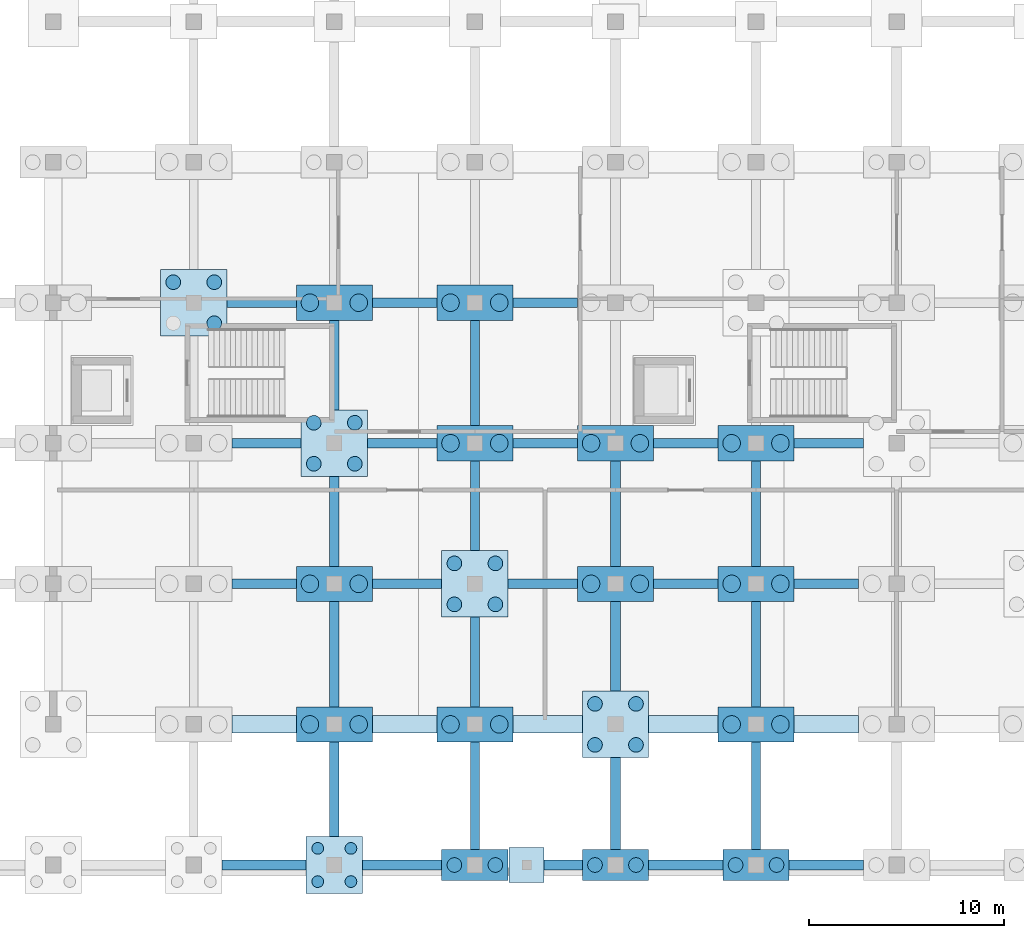
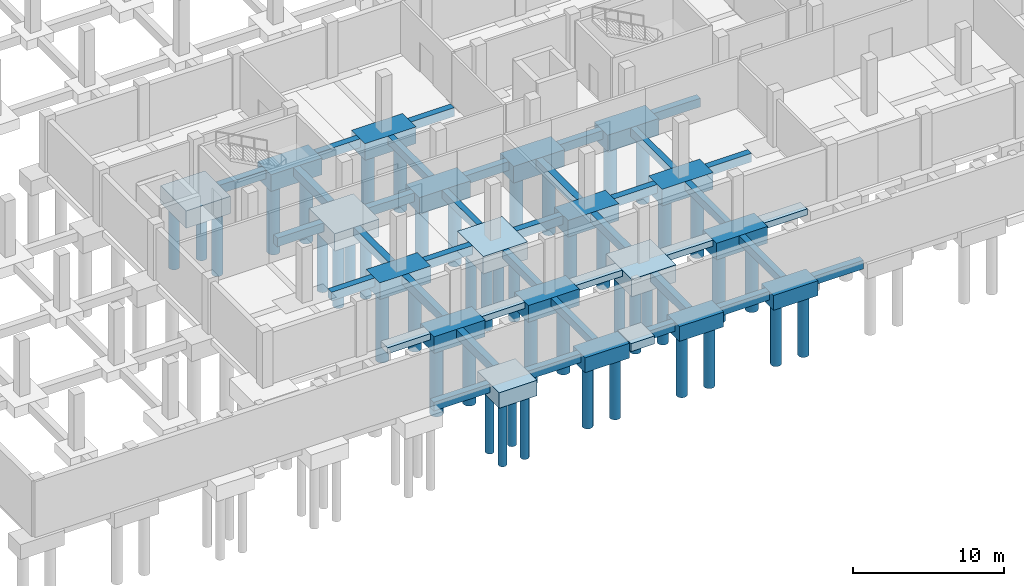
# One storey, part 2 of 22: 57 footings, 47 piles.
"""IFC4 building model written with IfcOpenShell, lengths in metres."""

import ifcopenshell
import ifcopenshell.guid

model = None  # the IFC model being written
_history = None  # IfcOwnerHistory: only IFC2X3 demands one
_inside = {}  # id of a spatial element -> (the spatial element, [elements in it])
_under = {}  # id of a project, library or spatial element -> (it, [spatial elements below it])
_declared = {}  # id of a project -> (the project, [libraries it declares])
_typed = {}  # id of a type object -> (the type object, [elements of that type])
_made_of = {}  # id of a material, layer set ... -> (it, [elements and type objects made of it])


def new_model(schema):
    """Start an empty IFC model of exactly this schema.

    Asked for "IFC4X3", IfcOpenShell would pick the latest addendum, in which some entities
    have other attributes; the version numbers below select the first issue.
    IFC2X3 requires an IfcOwnerHistory on every rooted entity: one is made here for all.
    """
    global model, _history
    if schema == "IFC4X3":
        model = ifcopenshell.file(schema_version=(4, 3, 0, 0))
    else:
        model = ifcopenshell.file(schema=schema)
    _inside.clear()
    _under.clear()
    _declared.clear()
    _typed.clear()
    _made_of.clear()
    _history = None
    if model.schema == "IFC2X3":
        org = make("IfcOrganization", Name="unknown")
        user = make(
            "IfcPersonAndOrganization",
            ThePerson=make("IfcPerson", FamilyName="unknown"),
            TheOrganization=org,
        )
        app = make(
            "IfcApplication",
            ApplicationDeveloper=org,
            Version="unknown",
            ApplicationFullName="unknown",
            ApplicationIdentifier="unknown",
        )
        _history = make(
            "IfcOwnerHistory",
            OwningUser=user,
            OwningApplication=app,
            ChangeAction="ADDED",
            CreationDate=0,
        )
    return model


def make(cls, **values):
    """One entity of the class cls with the attributes given. An attribute that is None is left unset."""
    return model.create_entity(
        cls, **{name: value for name, value in values.items() if value is not None}
    )


def rooted(cls, **values):
    """An entity with a GlobalId (a new one), such as an element, a storey or a relation."""
    return make(cls, GlobalId=ifcopenshell.guid.new(), OwnerHistory=_history, **values)


def si_unit(unit_type, name, prefix=None):
    """IfcSIUnit, for example si_unit("LENGTHUNIT", "METRE", prefix="MILLI")."""
    return make("IfcSIUnit", UnitType=unit_type, Prefix=prefix, Name=name)


def assignment(units):
    """IfcUnitAssignment: the units of a project."""
    return None if units is None else make("IfcUnitAssignment", Units=units)


def point(xyz):
    """IfcCartesianPoint."""
    return None if xyz is None else make("IfcCartesianPoint", Coordinates=xyz)


def direction(xyz):
    """IfcDirection."""
    return None if xyz is None else make("IfcDirection", DirectionRatios=xyz)


def frame(location, z_axis=None, x_axis=None):
    """IfcAxis2Placement3D, a coordinate frame: its origin and axes. An axis left out is left unset."""
    return make(
        "IfcAxis2Placement3D",
        Location=point(location),
        Axis=direction(z_axis),
        RefDirection=direction(x_axis),
    )


def frame_2d(location, x_axis=None):
    """IfcAxis2Placement2D, a coordinate frame in the plane: its origin and x axis."""
    return make(
        "IfcAxis2Placement2D", Location=point(location), RefDirection=direction(x_axis)
    )


def origin():
    """The frame at (0, 0, 0) with its axes left unset."""
    return frame((0.0, 0.0, 0.0))


def origin_2d():
    """The frame at (0, 0) in the plane with its x axis left unset."""
    return frame_2d((0.0, 0.0))


def place(relative_to, where):
    """IfcLocalPlacement: puts the frame where relative to a parent placement (None: the world)."""
    return make(
        "IfcLocalPlacement", PlacementRelTo=relative_to, RelativePlacement=where
    )


def context(
    kind, dimensions, precision=None, world=None, true_north=None, identifier=None
):
    """IfcGeometricRepresentationContext, for example the 3D "Model" context."""
    return make(
        "IfcGeometricRepresentationContext",
        ContextIdentifier=identifier,
        ContextType=kind,
        CoordinateSpaceDimension=dimensions,
        Precision=precision,
        WorldCoordinateSystem=world,
        TrueNorth=true_north,
    )


def subcontext(parent, identifier, kind, view, scale=None):
    """IfcGeometricRepresentationSubContext, for example "Body" below "Model"."""
    return make(
        "IfcGeometricRepresentationSubContext",
        ContextIdentifier=identifier,
        ContextType=kind,
        ParentContext=parent,
        TargetScale=scale,
        TargetView=view,
    )


def project(units=None, contexts=None):
    """IfcProject with its units and contexts."""
    return rooted(
        "IfcProject",
        Name="project",
        RepresentationContexts=contexts,
        UnitsInContext=assignment(units),
    )


def spatial(cls, under=None, at=None, **own):
    """A site, building, storey or space (cls), placed at a placement, below another one or the project."""
    s = rooted(cls, ObjectPlacement=at, **own)
    if under is not None:
        _under.setdefault(under.id(), (under, []))[1].append(s)
    return s


def polyline(points):
    """IfcPolyline through the points."""
    return make("IfcPolyline", Points=[point(p) for p in points])


def profile(cls, at=None, kind="AREA", **sizes):
    """A parametric profile (cls). Its sizes go by their IFC names, for example OverallWidth=200.0."""
    return make(cls, ProfileType=kind, Position=at, **sizes)


def rectangle(**sizes):
    """IfcRectangleProfileDef."""
    return profile("IfcRectangleProfileDef", **sizes)


def circle(**sizes):
    """IfcCircleProfileDef."""
    return profile("IfcCircleProfileDef", **sizes)


def outline(outer, holes=None, kind="AREA"):
    """IfcArbitraryClosedProfileDef: a profile drawn as a closed curve; with holes, ...WithVoids."""
    if holes is None:
        return make("IfcArbitraryClosedProfileDef", ProfileType=kind, OuterCurve=outer)
    return make(
        "IfcArbitraryProfileDefWithVoids",
        ProfileType=kind,
        OuterCurve=outer,
        InnerCurves=holes,
    )


def extrude(swept, where, along, depth):
    """IfcExtrudedAreaSolid: the profile swept, set in the frame where, extruded along a direction by depth."""
    return make(
        "IfcExtrudedAreaSolid",
        SweptArea=swept,
        Position=where,
        ExtrudedDirection=direction(along),
        Depth=depth,
    )


def shape(context_of_items, identifier, shape_type, items):
    """IfcShapeRepresentation: the items that make up one representation, for example the "Body"."""
    return make(
        "IfcShapeRepresentation",
        ContextOfItems=context_of_items,
        RepresentationIdentifier=identifier,
        RepresentationType=shape_type,
        Items=items,
    )


def material(Name=None, Category=None):
    """IfcMaterial."""
    return make("IfcMaterial", Name=Name, Category=Category)


def material_profile(
    of_material, cross_section, Name=None, Category=None, Priority=None
):
    """IfcMaterialProfile: a cross section and its material."""
    return make(
        "IfcMaterialProfile",
        Name=Name,
        Material=of_material,
        Profile=cross_section,
        Priority=Priority,
        Category=Category,
    )


def profile_set(profiles, Name=None, composite=None):
    """IfcMaterialProfileSet."""
    return make(
        "IfcMaterialProfileSet",
        Name=Name,
        MaterialProfiles=profiles,
        CompositeProfile=composite,
    )


def made_of(thing, what):
    """Note that an element or type object is made of a material, layer set ...; save() writes the relation."""
    if what is not None:
        _made_of.setdefault(what.id(), (what, []))[1].append(thing)
    return thing


def type_object(cls, material=None, **own):
    """A type object (cls), such as IfcWallType, which elements share."""
    return made_of(rooted(cls, **own), material)


def element(
    cls,
    number,
    at=None,
    inside=None,
    cuts=None,
    type_object=None,
    material=None,
    context=None,
    identifier="Body",
    shape_type=None,
    held_by="IfcProductDefinitionShape",
    body=None,
    shapes=None,
    **own,
):
    """One element of the class cls, such as IfcWall. Its Tag is "e" and its number.

    at: its placement. inside: the storey or other place that contains it. cuts: it is an
    opening in that element (IfcRelVoidsElement). A single representation is given by context,
    identifier, shape_type and body (its items); several are given by shapes. held_by: the class
    of the entity that holds the representations. save() writes the other relations.
    """
    e = rooted(cls, Tag="e%d" % number, ObjectPlacement=at, **own)
    if body is not None:
        shapes = [shape(context, identifier, shape_type, body)]
    if shapes is not None:
        e.Representation = make(held_by, Representations=shapes)
    if inside is not None:
        _inside.setdefault(inside.id(), (inside, []))[1].append(e)
    if cuts is not None:
        rooted(
            "IfcRelVoidsElement", RelatingBuildingElement=cuts, RelatedOpeningElement=e
        )
    if type_object is not None:
        _typed.setdefault(type_object.id(), (type_object, []))[1].append(e)
    return made_of(e, material)


def aggregate(whole, parts):
    """IfcRelAggregates: a whole, such as a stair, and the parts it consists of."""
    return rooted("IfcRelAggregates", RelatingObject=whole, RelatedObjects=parts)


def save(model, path):
    """Write the relations noted so far, then the file.

    IfcRelAggregates (storeys below a building ...), IfcRelContainedInSpatialStructure (elements
    in a storey), IfcRelDefinesByType, IfcRelAssociatesMaterial and IfcRelDeclares: one each for
    every whole, place, type object, material and project.
    """
    for whole, parts in _under.values():
        aggregate(whole, parts)
    for where, things in _inside.values():
        rooted(
            "IfcRelContainedInSpatialStructure",
            RelatedElements=things,
            RelatingStructure=where,
        )
    for kind, things in _typed.values():
        rooted("IfcRelDefinesByType", RelatedObjects=things, RelatingType=kind)
    for what, things in _made_of.values():
        rooted("IfcRelAssociatesMaterial", RelatedObjects=things, RelatingMaterial=what)
    for by, libraries in _declared.values():
        rooted("IfcRelDeclares", RelatingContext=by, RelatedDefinitions=libraries)
    model.write(path)


model = new_model("IFC4")

# Units and contexts
model_context = context("Model", 3, precision=1e-05, world=origin(), true_north=direction((0.0, 1.0)))
body_context = subcontext(model_context, "Body", "Model", "MODEL_VIEW")
ifc_project = project(units=[si_unit("LENGTHUNIT", "METRE"), si_unit("AREAUNIT", "SQUARE_METRE"), si_unit("VOLUMEUNIT", "CUBIC_METRE"), si_unit("PLANEANGLEUNIT", "RADIAN"), si_unit("MASSUNIT", "GRAM", prefix="KILO")], contexts=[model_context])

# Site, building, storey
site_placement = place(None, origin())
site = spatial("IfcSite", under=ifc_project, at=site_placement, CompositionType="ELEMENT")
building_placement = place(site_placement, origin())
building = spatial("IfcBuilding", under=site, at=building_placement, Name="Sardonyx Promenade Sports Hall", CompositionType="ELEMENT")
storey_placement = place(building_placement, frame((0.0, 0.0, -4.5)))
storey = spatial("IfcBuildingStorey", under=building, at=storey_placement, Name="B1", CompositionType="ELEMENT", Elevation=-4.5)

# Footings
ifc_material_1 = material(Name="Concrete C40/50", Category="concrete")
footing_type_1 = type_object("IfcFootingType", Name="Cap_2P_750", PredefinedType="PILE_CAP", material=ifc_material_1)
for number, where, z_axis, x_axis, name in (
    (1, (43.199951171875, 0.0, -1.2001953125), (0.0, 0.0, 1.0), (1.0, 0.0, 0.0), "Pile cap PC02 at (43.20, 0.00)"),
    (2, (50.39990234375, 0.0, -1.2001953125), (0.0, 0.0, 1.0), (1.0, 0.0, 0.0), "Pile cap PC02 at (50.40, 0.00)"),
    (3, (57.60009765625, 0.0, -1.2001953125), (0.0, 0.0, 1.0), (1.0, 0.0, 0.0), "Pile cap PC02 at (57.60, 0.00)"),
):
    element("IfcFooting", number, at=place(storey_placement, frame(where, z_axis=z_axis, x_axis=x_axis)), inside=storey, type_object=footing_type_1, Name=name, PredefinedType="PILE_CAP", context=body_context, shape_type="SweptSolid", body=[
        extrude(rectangle(XDim=3.39990234375, YDim=1.60009765625, at=origin_2d()), origin(), (0.0, 0.0, 1.0), 1.199951171875),
    ])
ifc_material_2 = material(Name="Concrete C40/50", Category="concrete")
footing_type_2 = type_object("IfcFootingType", Name="Cap_2P_900", PredefinedType="PILE_CAP", material=ifc_material_2)
for number, where, z_axis, x_axis, name in (
    (4, (36.0, 7.199951171875, -1.35009765625), (0.0, 0.0, 1.0), (1.0, 0.0, 0.0), "Pile cap PC09 at (36.00, 7.20)"),
    (5, (36.0, 14.39990234375, -1.35009765625), (0.0, 0.0, 1.0), (1.0, 0.0, 0.0), "Pile cap PC09 at (36.00, 14.40)"),
    (6, (36.0, 28.800048828125, -1.35009765625), (0.0, 0.0, 1.0), (1.0, 0.0, 0.0), "Pile cap PC09 at (36.00, 28.80)"),
    (7, (43.199951171875, 7.199951171875, -1.35009765625), (0.0, 0.0, 1.0), (1.0, 0.0, 0.0), "Pile cap PC09 at (43.20, 7.20)"),
    (8, (43.199951171875, 21.60009765625, -1.35009765625), (0.0, 0.0, 1.0), (1.0, 0.0, 0.0), "Pile cap PC09 at (43.20, 21.60)"),
    (9, (43.199951171875, 28.800048828125, -1.35009765625), (0.0, 0.0, 1.0), (1.0, 0.0, 0.0), "Pile cap PC09 at (43.20, 28.80)"),
    (10, (50.39990234375, 14.39990234375, -1.35009765625), (0.0, 0.0, 1.0), (1.0, 0.0, 0.0), "Pile cap PC09 at (50.40, 14.40)"),
    (11, (50.39990234375, 21.60009765625, -1.35009765625), (0.0, 0.0, 1.0), (1.0, 0.0, 0.0), "Pile cap PC09 at (50.40, 21.60)"),
    (12, (57.60009765625, 7.199951171875, -1.35009765625), (0.0, 0.0, 1.0), (1.0, 0.0, 0.0), "Pile cap PC09 at (57.60, 7.20)"),
    (13, (57.60009765625, 14.39990234375, -1.35009765625), (0.0, 0.0, 1.0), (1.0, 0.0, 0.0), "Pile cap PC09 at (57.60, 14.40)"),
    (14, (57.60009765625, 21.60009765625, -1.35009765625), (0.0, 0.0, 1.0), (1.0, 0.0, 0.0), "Pile cap PC09 at (57.60, 21.60)"),
):
    element("IfcFooting", number, at=place(storey_placement, frame(where, z_axis=z_axis, x_axis=x_axis)), inside=storey, type_object=footing_type_2, Name=name, PredefinedType="PILE_CAP", context=body_context, shape_type="SweptSolid", body=[
        extrude(rectangle(XDim=3.89990234375, YDim=1.800048828125, at=origin_2d()), origin(), (0.0, 0.0, 1.0), 1.35009765625),
    ])
ifc_material_3 = material(Name="Concrete C40/50", Category="concrete")
footing_type_3 = type_object("IfcFootingType", Name="Cap_4P_600", PredefinedType="PILE_CAP", material=ifc_material_3)
footing_1_placement = place(storey_placement, frame((36.0, 0.0, -1.25), z_axis=(0.0, 0.0, 1.0), x_axis=(1.0, 0.0, 0.0)))
element("IfcFooting", 15, at=footing_1_placement, inside=storey, type_object=footing_type_3, Name="Pile cap PC01 at (36.00, 0.00)", PredefinedType="PILE_CAP", context=body_context, shape_type="SweptSolid", body=[
    extrude(rectangle(XDim=2.89990234375, YDim=2.89990234375, at=origin_2d()), origin(), (0.0, 0.0, 1.0), 1.25),
])
ifc_material_4 = material(Name="Concrete C40/50", Category="concrete")
footing_type_4 = type_object("IfcFootingType", Name="Cap_4P_750", PredefinedType="PILE_CAP", material=ifc_material_4)
for number, where, z_axis, x_axis, name in (
    (16, (28.800048828125, 28.800048828125, -1.39990234375), (0.0, 0.0, 1.0), (1.0, 0.0, 0.0), "Pile cap PC04 at (28.80, 28.80)"),
    (17, (36.0, 21.60009765625, -1.39990234375), (0.0, 0.0, 1.0), (1.0, 0.0, 0.0), "Pile cap PC04 at (36.00, 21.60)"),
    (18, (43.199951171875, 14.39990234375, -1.39990234375), (0.0, 0.0, 1.0), (1.0, 0.0, 0.0), "Pile cap PC04 at (43.20, 14.40)"),
    (19, (50.39990234375, 7.199951171875, -1.39990234375), (0.0, 0.0, 1.0), (1.0, 0.0, 0.0), "Pile cap PC04 at (50.40, 7.20)"),
):
    element("IfcFooting", number, at=place(storey_placement, frame(where, z_axis=z_axis, x_axis=x_axis)), inside=storey, type_object=footing_type_4, Name=name, PredefinedType="PILE_CAP", context=body_context, shape_type="SweptSolid", body=[
        extrude(rectangle(XDim=3.39990234375, YDim=3.39990234375, at=origin_2d()), origin(), (0.0, 0.0, 1.0), 1.39990234375),
    ])
ifc_material_5 = material(Name="Concrete C40/50", Category="concrete")
footing_type_5 = type_object("IfcFootingType", Name="Ftg_Beam_450x650", PredefinedType="FOOTING_BEAM", material=ifc_material_5)
footing_2_placement = place(storey_placement, frame((0.0, 0.0, -0.64990234375)))
element("IfcFooting", 20, at=footing_2_placement, inside=storey, type_object=footing_type_5, Name="Ground tie beam GB03 #275", PredefinedType="FOOTING_BEAM", context=body_context, shape_type="SweptSolid", body=[
    extrude(outline(polyline([(42.97509765625, 0.800048828125), (43.425048828125, 0.800048828125), (43.425048828125, 6.300048828125), (42.97509765625, 6.300048828125), (42.97509765625, 0.800048828125)])), origin(), (0.0, 0.0, 1.0), 0.64990234375),
])
footing_3_placement = place(storey_placement, frame((0.0, 0.0, -0.64990234375)))
element("IfcFooting", 21, at=footing_3_placement, inside=storey, type_object=footing_type_5, Name="Ground tie beam GB03 #276", PredefinedType="FOOTING_BEAM", context=body_context, shape_type="SweptSolid", body=[
    extrude(outline(polyline([(42.97509765625, 8.10009765625), (43.425048828125, 8.10009765625), (43.425048828125, 12.699951171875), (42.97509765625, 12.699951171875), (42.97509765625, 8.10009765625)])), origin(), (0.0, 0.0, 1.0), 0.64990234375),
])
footing_4_placement = place(storey_placement, frame((0.0, 0.0, -0.64990234375)))
element("IfcFooting", 22, at=footing_4_placement, inside=storey, type_object=footing_type_5, Name="Ground tie beam GB03 #277", PredefinedType="FOOTING_BEAM", context=body_context, shape_type="SweptSolid", body=[
    extrude(outline(polyline([(42.97509765625, 16.10009765625), (43.425048828125, 16.10009765625), (43.425048828125, 20.699951171875), (42.97509765625, 20.699951171875), (42.97509765625, 16.10009765625)])), origin(), (0.0, 0.0, 1.0), 0.64990234375),
])
footing_5_placement = place(storey_placement, frame((0.0, 0.0, -0.64990234375)))
element("IfcFooting", 23, at=footing_5_placement, inside=storey, type_object=footing_type_5, Name="Ground tie beam GB03 #278", PredefinedType="FOOTING_BEAM", context=body_context, shape_type="SweptSolid", body=[
    extrude(outline(polyline([(42.97509765625, 22.5), (43.425048828125, 22.5), (43.425048828125, 27.89990234375), (42.97509765625, 27.89990234375), (42.97509765625, 22.5)])), origin(), (0.0, 0.0, 1.0), 0.64990234375),
])
footing_6_placement = place(storey_placement, frame((0.0, 0.0, -0.64990234375)))
element("IfcFooting", 24, at=footing_6_placement, inside=storey, type_object=footing_type_5, Name="Ground tie beam GB03 #294", PredefinedType="FOOTING_BEAM", context=body_context, shape_type="SweptSolid", body=[
    extrude(outline(polyline([(57.375, 0.800048828125), (57.824951171875, 0.800048828125), (57.824951171875, 6.300048828125), (57.375, 6.300048828125), (57.375, 0.800048828125)])), origin(), (0.0, 0.0, 1.0), 0.64990234375),
])
footing_7_placement = place(storey_placement, frame((0.0, 0.0, -0.64990234375)))
element("IfcFooting", 25, at=footing_7_placement, inside=storey, type_object=footing_type_5, Name="Ground tie beam GB03 #295", PredefinedType="FOOTING_BEAM", context=body_context, shape_type="SweptSolid", body=[
    extrude(outline(polyline([(57.375, 8.10009765625), (57.824951171875, 8.10009765625), (57.824951171875, 13.5), (57.375, 13.5), (57.375, 8.10009765625)])), origin(), (0.0, 0.0, 1.0), 0.64990234375),
])
footing_8_placement = place(storey_placement, frame((0.0, 0.0, -0.64990234375)))
element("IfcFooting", 26, at=footing_8_placement, inside=storey, type_object=footing_type_5, Name="Ground tie beam GB03 #296", PredefinedType="FOOTING_BEAM", context=body_context, shape_type="SweptSolid", body=[
    extrude(outline(polyline([(57.375, 15.300048828125), (57.824951171875, 15.300048828125), (57.824951171875, 20.699951171875), (57.375, 20.699951171875), (57.375, 15.300048828125)])), origin(), (0.0, 0.0, 1.0), 0.64990234375),
])
ifc_material_6 = material(Name="Concrete C40/50", Category="concrete")
footing_type_6 = type_object("IfcFootingType", Name="Ftg_Beam_500x700", PredefinedType="FOOTING_BEAM", material=ifc_material_6)
footing_9_placement = place(storey_placement, frame((0.0, 0.0, -0.699951171875)))
element("IfcFooting", 27, at=footing_9_placement, inside=storey, type_object=footing_type_6, Name="Ground tie beam GB01 #5", PredefinedType="FOOTING_BEAM", context=body_context, shape_type="SweptSolid", body=[
    extrude(outline(polyline([(30.25, -0.25), (34.550048828125, -0.25), (34.550048828125, 0.25), (30.25, 0.25), (30.25, -0.25)])), origin(), (0.0, 0.0, 1.0), 0.699951171875),
])
footing_10_placement = place(storey_placement, frame((0.0, 0.0, -0.699951171875)))
element("IfcFooting", 28, at=footing_10_placement, inside=storey, type_object=footing_type_6, Name="Ground tie beam GB01 #6", PredefinedType="FOOTING_BEAM", context=body_context, shape_type="SweptSolid", body=[
    extrude(outline(polyline([(37.449951171875, -0.25), (41.5, -0.25), (41.5, 0.25), (37.449951171875, 0.25), (37.449951171875, -0.25)])), origin(), (0.0, 0.0, 1.0), 0.699951171875),
])
footing_11_placement = place(storey_placement, frame((0.0, 0.0, -0.699951171875)))
element("IfcFooting", 29, at=footing_11_placement, inside=storey, type_object=footing_type_6, Name="Ground tie beam GB01 #7", PredefinedType="FOOTING_BEAM", context=body_context, shape_type="SweptSolid", body=[
    extrude(outline(polyline([(46.75, -0.25), (48.699951171875, -0.25), (48.699951171875, 0.25), (46.75, 0.25), (46.75, -0.25)])), origin(), (0.0, 0.0, 1.0), 0.699951171875),
])
footing_12_placement = place(storey_placement, frame((0.0, 0.0, -0.699951171875)))
element("IfcFooting", 30, at=footing_12_placement, inside=storey, type_object=footing_type_6, Name="Ground tie beam GB01 #8", PredefinedType="FOOTING_BEAM", context=body_context, shape_type="SweptSolid", body=[
    extrude(outline(polyline([(52.10009765625, -0.25), (55.89990234375, -0.25), (55.89990234375, 0.25), (52.10009765625, 0.25), (52.10009765625, -0.25)])), origin(), (0.0, 0.0, 1.0), 0.699951171875),
])
footing_13_placement = place(storey_placement, frame((0.0, 0.0, -0.699951171875)))
element("IfcFooting", 31, at=footing_13_placement, inside=storey, type_object=footing_type_6, Name="Ground tie beam GB01 #9", PredefinedType="FOOTING_BEAM", context=body_context, shape_type="SweptSolid", body=[
    extrude(outline(polyline([(59.300048828125, -0.25), (63.10009765625, -0.25), (63.10009765625, 0.25), (59.300048828125, 0.25), (59.300048828125, -0.25)])), origin(), (0.0, 0.0, 1.0), 0.699951171875),
])
footing_14_placement = place(storey_placement, frame((0.0, 0.0, -0.699951171875)))
element("IfcFooting", 32, at=footing_14_placement, inside=storey, type_object=footing_type_6, Name="Ground tie beam GB01 #28", PredefinedType="FOOTING_BEAM", context=body_context, shape_type="SweptSolid", body=[
    extrude(outline(polyline([(30.75, 14.14990234375), (34.050048828125, 14.14990234375), (34.050048828125, 14.64990234375), (30.75, 14.64990234375), (30.75, 14.14990234375)])), origin(), (0.0, 0.0, 1.0), 0.699951171875),
])
footing_15_placement = place(storey_placement, frame((0.0, 0.0, -0.699951171875)))
element("IfcFooting", 33, at=footing_15_placement, inside=storey, type_object=footing_type_6, Name="Ground tie beam GB01 #29", PredefinedType="FOOTING_BEAM", context=body_context, shape_type="SweptSolid", body=[
    extrude(outline(polyline([(37.949951171875, 14.14990234375), (41.5, 14.14990234375), (41.5, 14.64990234375), (37.949951171875, 14.64990234375), (37.949951171875, 14.14990234375)])), origin(), (0.0, 0.0, 1.0), 0.699951171875),
])
footing_16_placement = place(storey_placement, frame((0.0, 0.0, -0.699951171875)))
element("IfcFooting", 34, at=footing_16_placement, inside=storey, type_object=footing_type_6, Name="Ground tie beam GB01 #30", PredefinedType="FOOTING_BEAM", context=body_context, shape_type="SweptSolid", body=[
    extrude(outline(polyline([(44.89990234375, 14.14990234375), (48.449951171875, 14.14990234375), (48.449951171875, 14.64990234375), (44.89990234375, 14.64990234375), (44.89990234375, 14.14990234375)])), origin(), (0.0, 0.0, 1.0), 0.699951171875),
])
footing_17_placement = place(storey_placement, frame((0.0, 0.0, -0.699951171875)))
element("IfcFooting", 35, at=footing_17_placement, inside=storey, type_object=footing_type_6, Name="Ground tie beam GB01 #31", PredefinedType="FOOTING_BEAM", context=body_context, shape_type="SweptSolid", body=[
    extrude(outline(polyline([(52.35009765625, 14.14990234375), (55.64990234375, 14.14990234375), (55.64990234375, 14.64990234375), (52.35009765625, 14.64990234375), (52.35009765625, 14.14990234375)])), origin(), (0.0, 0.0, 1.0), 0.699951171875),
])
footing_18_placement = place(storey_placement, frame((0.0, 0.0, -0.699951171875)))
element("IfcFooting", 36, at=footing_18_placement, inside=storey, type_object=footing_type_6, Name="Ground tie beam GB01 #32", PredefinedType="FOOTING_BEAM", context=body_context, shape_type="SweptSolid", body=[
    extrude(outline(polyline([(59.550048828125, 14.14990234375), (62.85009765625, 14.14990234375), (62.85009765625, 14.64990234375), (59.550048828125, 14.64990234375), (59.550048828125, 14.14990234375)])), origin(), (0.0, 0.0, 1.0), 0.699951171875),
])
footing_19_placement = place(storey_placement, frame((0.0, 0.0, -0.699951171875)))
element("IfcFooting", 37, at=footing_19_placement, inside=storey, type_object=footing_type_6, Name="Ground tie beam GB01 #51", PredefinedType="FOOTING_BEAM", context=body_context, shape_type="SweptSolid", body=[
    extrude(outline(polyline([(30.75, 21.35009765625), (34.300048828125, 21.35009765625), (34.300048828125, 21.85009765625), (30.75, 21.85009765625), (30.75, 21.35009765625)])), origin(), (0.0, 0.0, 1.0), 0.699951171875),
])
footing_20_placement = place(storey_placement, frame((0.0, 0.0, -0.699951171875)))
element("IfcFooting", 38, at=footing_20_placement, inside=storey, type_object=footing_type_6, Name="Ground tie beam GB01 #52", PredefinedType="FOOTING_BEAM", context=body_context, shape_type="SweptSolid", body=[
    extrude(outline(polyline([(37.699951171875, 21.35009765625), (41.25, 21.35009765625), (41.25, 21.85009765625), (37.699951171875, 21.85009765625), (37.699951171875, 21.35009765625)])), origin(), (0.0, 0.0, 1.0), 0.699951171875),
])
footing_21_placement = place(storey_placement, frame((0.0, 0.0, -0.699951171875)))
element("IfcFooting", 39, at=footing_21_placement, inside=storey, type_object=footing_type_6, Name="Ground tie beam GB01 #53", PredefinedType="FOOTING_BEAM", context=body_context, shape_type="SweptSolid", body=[
    extrude(outline(polyline([(45.14990234375, 21.35009765625), (48.449951171875, 21.35009765625), (48.449951171875, 21.85009765625), (45.14990234375, 21.85009765625), (45.14990234375, 21.35009765625)])), origin(), (0.0, 0.0, 1.0), 0.699951171875),
])
footing_22_placement = place(storey_placement, frame((0.0, 0.0, -0.699951171875)))
element("IfcFooting", 40, at=footing_22_placement, inside=storey, type_object=footing_type_6, Name="Ground tie beam GB01 #54", PredefinedType="FOOTING_BEAM", context=body_context, shape_type="SweptSolid", body=[
    extrude(outline(polyline([(52.35009765625, 21.35009765625), (55.64990234375, 21.35009765625), (55.64990234375, 21.85009765625), (52.35009765625, 21.85009765625), (52.35009765625, 21.35009765625)])), origin(), (0.0, 0.0, 1.0), 0.699951171875),
])
footing_23_placement = place(storey_placement, frame((0.0, 0.0, -0.699951171875)))
element("IfcFooting", 41, at=footing_23_placement, inside=storey, type_object=footing_type_6, Name="Ground tie beam GB01 #55", PredefinedType="FOOTING_BEAM", context=body_context, shape_type="SweptSolid", body=[
    extrude(outline(polyline([(59.550048828125, 21.35009765625), (63.10009765625, 21.35009765625), (63.10009765625, 21.85009765625), (59.550048828125, 21.85009765625), (59.550048828125, 21.35009765625)])), origin(), (0.0, 0.0, 1.0), 0.699951171875),
])
footing_24_placement = place(storey_placement, frame((0.0, 0.0, -0.699951171875)))
element("IfcFooting", 42, at=footing_24_placement, inside=storey, type_object=footing_type_6, Name="Ground tie beam GB01 #74", PredefinedType="FOOTING_BEAM", context=body_context, shape_type="SweptSolid", body=[
    extrude(outline(polyline([(30.5, 28.550048828125), (34.050048828125, 28.550048828125), (34.050048828125, 29.050048828125), (30.5, 29.050048828125), (30.5, 28.550048828125)])), origin(), (0.0, 0.0, 1.0), 0.699951171875),
])
footing_25_placement = place(storey_placement, frame((0.0, 0.0, -0.699951171875)))
element("IfcFooting", 43, at=footing_25_placement, inside=storey, type_object=footing_type_6, Name="Ground tie beam GB01 #75", PredefinedType="FOOTING_BEAM", context=body_context, shape_type="SweptSolid", body=[
    extrude(outline(polyline([(37.949951171875, 28.550048828125), (41.25, 28.550048828125), (41.25, 29.050048828125), (37.949951171875, 29.050048828125), (37.949951171875, 28.550048828125)])), origin(), (0.0, 0.0, 1.0), 0.699951171875),
])
footing_26_placement = place(storey_placement, frame((0.0, 0.0, -0.699951171875)))
element("IfcFooting", 44, at=footing_26_placement, inside=storey, type_object=footing_type_6, Name="Ground tie beam GB01 #76", PredefinedType="FOOTING_BEAM", context=body_context, shape_type="SweptSolid", body=[
    extrude(outline(polyline([(45.14990234375, 28.550048828125), (48.449951171875, 28.550048828125), (48.449951171875, 29.050048828125), (45.14990234375, 29.050048828125), (45.14990234375, 28.550048828125)])), origin(), (0.0, 0.0, 1.0), 0.699951171875),
])
footing_27_placement = place(storey_placement, frame((0.0, 0.0, -0.699951171875)))
element("IfcFooting", 45, at=footing_27_placement, inside=storey, type_object=footing_type_6, Name="Ground tie beam GB01 #265", PredefinedType="FOOTING_BEAM", context=body_context, shape_type="SweptSolid", body=[
    extrude(outline(polyline([(35.75, 1.449951171875), (36.25, 1.449951171875), (36.25, 6.300048828125), (35.75, 6.300048828125), (35.75, 1.449951171875)])), origin(), (0.0, 0.0, 1.0), 0.699951171875),
])
footing_28_placement = place(storey_placement, frame((0.0, 0.0, -0.699951171875)))
element("IfcFooting", 46, at=footing_28_placement, inside=storey, type_object=footing_type_6, Name="Ground tie beam GB01 #266", PredefinedType="FOOTING_BEAM", context=body_context, shape_type="SweptSolid", body=[
    extrude(outline(polyline([(35.75, 8.10009765625), (36.25, 8.10009765625), (36.25, 13.5), (35.75, 13.5), (35.75, 8.10009765625)])), origin(), (0.0, 0.0, 1.0), 0.699951171875),
])
footing_29_placement = place(storey_placement, frame((0.0, 0.0, -0.699951171875)))
element("IfcFooting", 47, at=footing_29_placement, inside=storey, type_object=footing_type_6, Name="Ground tie beam GB01 #267", PredefinedType="FOOTING_BEAM", context=body_context, shape_type="SweptSolid", body=[
    extrude(outline(polyline([(35.75, 15.300048828125), (36.25, 15.300048828125), (36.25, 19.89990234375), (35.75, 19.89990234375), (35.75, 15.300048828125)])), origin(), (0.0, 0.0, 1.0), 0.699951171875),
])
footing_30_placement = place(storey_placement, frame((0.0, 0.0, -0.699951171875)))
element("IfcFooting", 48, at=footing_30_placement, inside=storey, type_object=footing_type_6, Name="Ground tie beam GB01 #268", PredefinedType="FOOTING_BEAM", context=body_context, shape_type="SweptSolid", body=[
    extrude(outline(polyline([(35.75, 23.300048828125), (36.25, 23.300048828125), (36.25, 27.89990234375), (35.75, 27.89990234375), (35.75, 23.300048828125)])), origin(), (0.0, 0.0, 1.0), 0.699951171875),
])
footing_31_placement = place(storey_placement, frame((0.0, 0.0, -0.699951171875)))
element("IfcFooting", 49, at=footing_31_placement, inside=storey, type_object=footing_type_6, Name="Ground tie beam GB01 #287", PredefinedType="FOOTING_BEAM", context=body_context, shape_type="SweptSolid", body=[
    extrude(outline(polyline([(50.14990234375, 0.800048828125), (50.64990234375, 0.800048828125), (50.64990234375, 5.5), (50.14990234375, 5.5), (50.14990234375, 0.800048828125)])), origin(), (0.0, 0.0, 1.0), 0.699951171875),
])
footing_32_placement = place(storey_placement, frame((0.0, 0.0, -0.699951171875)))
element("IfcFooting", 50, at=footing_32_placement, inside=storey, type_object=footing_type_6, Name="Ground tie beam GB01 #288", PredefinedType="FOOTING_BEAM", context=body_context, shape_type="SweptSolid", body=[
    extrude(outline(polyline([(50.14990234375, 8.89990234375), (50.64990234375, 8.89990234375), (50.64990234375, 13.5), (50.14990234375, 13.5), (50.14990234375, 8.89990234375)])), origin(), (0.0, 0.0, 1.0), 0.699951171875),
])
footing_33_placement = place(storey_placement, frame((0.0, 0.0, -0.699951171875)))
element("IfcFooting", 51, at=footing_33_placement, inside=storey, type_object=footing_type_6, Name="Ground tie beam GB01 #289", PredefinedType="FOOTING_BEAM", context=body_context, shape_type="SweptSolid", body=[
    extrude(outline(polyline([(50.14990234375, 15.300048828125), (50.64990234375, 15.300048828125), (50.64990234375, 20.699951171875), (50.14990234375, 20.699951171875), (50.14990234375, 15.300048828125)])), origin(), (0.0, 0.0, 1.0), 0.699951171875),
])
ifc_material_7 = material(Name="Concrete C40/50", Category="concrete")
footing_type_7 = type_object("IfcFootingType", Name="Ftg_Pad_1800", PredefinedType="PAD_FOOTING", material=ifc_material_7)
footing_34_placement = place(storey_placement, frame((45.85009765625, 0.0, -0.64990234375), z_axis=(0.0, 0.0, 1.0), x_axis=(1.0, 0.0, 0.0)))
element("IfcFooting", 52, at=footing_34_placement, inside=storey, type_object=footing_type_7, Name="Pilaster pad footing #2", PredefinedType="PAD_FOOTING", context=body_context, shape_type="SweptSolid", body=[
    extrude(rectangle(XDim=1.800048828125, YDim=1.800048828125, at=origin_2d()), origin(), (0.0, 0.0, 1.0), 0.64990234375),
])
ifc_material_8 = material(Name="Concrete C40/50", Category="concrete")
footing_type_8 = type_object("IfcFootingType", Name="Ftg_Strip_900x500", PredefinedType="STRIP_FOOTING", material=ifc_material_8)
footing_35_placement = place(storey_placement, frame((0.0, 0.0, -0.5)))
element("IfcFooting", 53, at=footing_35_placement, inside=storey, type_object=footing_type_8, Name="Basement wall strip footing SF01 #2", PredefinedType="STRIP_FOOTING", context=body_context, shape_type="SweptSolid", body=[
    extrude(outline(polyline([(30.75, 6.75), (34.050048828125, 6.75), (34.050048828125, 7.64990234375), (30.75, 7.64990234375), (30.75, 6.75)])), origin(), (0.0, 0.0, 1.0), 0.5),
])
footing_36_placement = place(storey_placement, frame((0.0, 0.0, -0.5)))
element("IfcFooting", 54, at=footing_36_placement, inside=storey, type_object=footing_type_8, Name="Basement wall strip footing SF01 #3", PredefinedType="STRIP_FOOTING", context=body_context, shape_type="SweptSolid", body=[
    extrude(outline(polyline([(37.949951171875, 6.75), (41.25, 6.75), (41.25, 7.64990234375), (37.949951171875, 7.64990234375), (37.949951171875, 6.75)])), origin(), (0.0, 0.0, 1.0), 0.5),
])
footing_37_placement = place(storey_placement, frame((0.0, 0.0, -0.5)))
element("IfcFooting", 55, at=footing_37_placement, inside=storey, type_object=footing_type_8, Name="Basement wall strip footing SF01 #4", PredefinedType="STRIP_FOOTING", context=body_context, shape_type="SweptSolid", body=[
    extrude(outline(polyline([(45.14990234375, 6.75), (48.699951171875, 6.75), (48.699951171875, 7.64990234375), (45.14990234375, 7.64990234375), (45.14990234375, 6.75)])), origin(), (0.0, 0.0, 1.0), 0.5),
])
footing_38_placement = place(storey_placement, frame((0.0, 0.0, -0.5)))
element("IfcFooting", 56, at=footing_38_placement, inside=storey, type_object=footing_type_8, Name="Basement wall strip footing SF01 #5", PredefinedType="STRIP_FOOTING", context=body_context, shape_type="SweptSolid", body=[
    extrude(outline(polyline([(52.10009765625, 6.75), (55.64990234375, 6.75), (55.64990234375, 7.64990234375), (52.10009765625, 7.64990234375), (52.10009765625, 6.75)])), origin(), (0.0, 0.0, 1.0), 0.5),
])
footing_39_placement = place(storey_placement, frame((0.0, 0.0, -0.5)))
element("IfcFooting", 57, at=footing_39_placement, inside=storey, type_object=footing_type_8, Name="Basement wall strip footing SF01 #6", PredefinedType="STRIP_FOOTING", context=body_context, shape_type="SweptSolid", body=[
    extrude(outline(polyline([(59.550048828125, 6.75), (62.85009765625, 6.75), (62.85009765625, 7.64990234375), (59.550048828125, 7.64990234375), (59.550048828125, 6.75)])), origin(), (0.0, 0.0, 1.0), 0.5),
])

# Piles
ifc_material_9 = material(Name="Concrete C40/50", Category="concrete")
ifc_material_profile_1 = material_profile(ifc_material_9, circle(Radius=0.300048828125, at=origin_2d()))
ifc_profile_set_1 = profile_set([ifc_material_profile_1], Name="Concrete C40/50")
pile_type_1 = type_object("IfcPileType", Name="Pile_BP600", PredefinedType="BORED", material=ifc_profile_set_1)
for number, where, z_axis, x_axis, name in (
    (58, (35.14990234375, -0.85009765625, -1.14990234375), (0.0, 0.0, -1.0), (1.0, 0.0, 0.0), "Bored pile BP04 #1 under ftg:cap:36.000_0.000"),
    (59, (36.85009765625, -0.85009765625, -1.14990234375), (0.0, 0.0, -1.0), (1.0, 0.0, 0.0), "Bored pile BP04 #2 under ftg:cap:36.000_0.000"),
    (60, (35.14990234375, 0.85009765625, -1.14990234375), (0.0, 0.0, -1.0), (1.0, 0.0, 0.0), "Bored pile BP04 #3 under ftg:cap:36.000_0.000"),
    (61, (36.85009765625, 0.85009765625, -1.14990234375), (0.0, 0.0, -1.0), (1.0, 0.0, 0.0), "Bored pile BP04 #4 under ftg:cap:36.000_0.000"),
):
    element("IfcPile", number, at=place(storey_placement, frame(where, z_axis=z_axis, x_axis=x_axis)), inside=storey, type_object=pile_type_1, Name=name, PredefinedType="BORED", context=body_context, shape_type="SweptSolid", body=[
        extrude(circle(Radius=0.300048828125, at=origin_2d()), origin(), (0.0, 0.0, 1.0), 5.199951171875),
    ])
ifc_material_10 = material(Name="Concrete C40/50", Category="concrete")
ifc_material_profile_2 = material_profile(ifc_material_10, circle(Radius=0.375, at=origin_2d()))
ifc_profile_set_2 = profile_set([ifc_material_profile_2], Name="Concrete C40/50")
pile_type_2 = type_object("IfcPileType", Name="Pile_BP750", PredefinedType="BORED", material=ifc_profile_set_2)
for number, where, z_axis, x_axis, name in (
    (62, (29.85009765625, 27.75, -1.300048828125), (0.0, 0.0, -1.0), (1.0, 0.0, 0.0), "Bored pile BP02 #2 under ftg:cap:28.800_28.800"),
    (63, (27.75, 29.85009765625, -1.300048828125), (0.0, 0.0, -1.0), (1.0, 0.0, 0.0), "Bored pile BP02 #3 under ftg:cap:28.800_28.800"),
    (64, (29.85009765625, 29.85009765625, -1.300048828125), (0.0, 0.0, -1.0), (1.0, 0.0, 0.0), "Bored pile BP02 #4 under ftg:cap:28.800_28.800"),
    (65, (34.949951171875, 20.550048828125, -1.300048828125), (0.0, 0.0, -1.0), (1.0, 0.0, 0.0), "Bored pile BP02 #1 under ftg:cap:36.000_21.600"),
    (66, (37.050048828125, 20.550048828125, -1.300048828125), (0.0, 0.0, -1.0), (1.0, 0.0, 0.0), "Bored pile BP02 #2 under ftg:cap:36.000_21.600"),
    (67, (34.949951171875, 22.64990234375, -1.300048828125), (0.0, 0.0, -1.0), (1.0, 0.0, 0.0), "Bored pile BP02 #3 under ftg:cap:36.000_21.600"),
    (68, (37.050048828125, 22.64990234375, -1.300048828125), (0.0, 0.0, -1.0), (1.0, 0.0, 0.0), "Bored pile BP02 #4 under ftg:cap:36.000_21.600"),
    (69, (42.14990234375, 0.0, -1.10009765625), (0.0, 0.0, -1.0), (1.0, 0.0, 0.0), "Bored pile BP02 #1 under ftg:cap:43.200_0.000"),
    (70, (44.25, 0.0, -1.10009765625), (0.0, 0.0, -1.0), (1.0, 0.0, 0.0), "Bored pile BP02 #2 under ftg:cap:43.200_0.000"),
    (71, (42.14990234375, 13.35009765625, -1.300048828125), (0.0, 0.0, -1.0), (1.0, 0.0, 0.0), "Bored pile BP02 #1 under ftg:cap:43.200_14.400"),
    (72, (44.25, 13.35009765625, -1.300048828125), (0.0, 0.0, -1.0), (1.0, 0.0, 0.0), "Bored pile BP02 #2 under ftg:cap:43.200_14.400"),
    (73, (42.14990234375, 15.449951171875, -1.300048828125), (0.0, 0.0, -1.0), (1.0, 0.0, 0.0), "Bored pile BP02 #3 under ftg:cap:43.200_14.400"),
    (74, (44.25, 15.449951171875, -1.300048828125), (0.0, 0.0, -1.0), (1.0, 0.0, 0.0), "Bored pile BP02 #4 under ftg:cap:43.200_14.400"),
    (75, (49.35009765625, 0.0, -1.10009765625), (0.0, 0.0, -1.0), (1.0, 0.0, 0.0), "Bored pile BP02 #1 under ftg:cap:50.400_0.000"),
    (76, (51.449951171875, 0.0, -1.10009765625), (0.0, 0.0, -1.0), (1.0, 0.0, 0.0), "Bored pile BP02 #2 under ftg:cap:50.400_0.000"),
    (77, (49.35009765625, 6.14990234375, -1.300048828125), (0.0, 0.0, -1.0), (1.0, 0.0, 0.0), "Bored pile BP02 #1 under ftg:cap:50.400_7.200"),
    (78, (51.449951171875, 6.14990234375, -1.300048828125), (0.0, 0.0, -1.0), (1.0, 0.0, 0.0), "Bored pile BP02 #2 under ftg:cap:50.400_7.200"),
    (79, (49.35009765625, 8.25, -1.300048828125), (0.0, 0.0, -1.0), (1.0, 0.0, 0.0), "Bored pile BP02 #3 under ftg:cap:50.400_7.200"),
    (80, (51.449951171875, 8.25, -1.300048828125), (0.0, 0.0, -1.0), (1.0, 0.0, 0.0), "Bored pile BP02 #4 under ftg:cap:50.400_7.200"),
    (81, (56.550048828125, 0.0, -1.10009765625), (0.0, 0.0, -1.0), (1.0, 0.0, 0.0), "Bored pile BP02 #1 under ftg:cap:57.600_0.000"),
    (82, (58.64990234375, 0.0, -1.10009765625), (0.0, 0.0, -1.0), (1.0, 0.0, 0.0), "Bored pile BP02 #2 under ftg:cap:57.600_0.000"),
):
    element("IfcPile", number, at=place(storey_placement, frame(where, z_axis=z_axis, x_axis=x_axis)), inside=storey, type_object=pile_type_2, Name=name, PredefinedType="BORED", context=body_context, shape_type="SweptSolid", body=[
        extrude(circle(Radius=0.375, at=origin_2d()), origin(), (0.0, 0.0, 1.0), 5.10009765625),
    ])
ifc_material_11 = material(Name="Concrete C40/50", Category="concrete")
ifc_material_profile_3 = material_profile(ifc_material_11, circle(Radius=0.449951171875, at=origin_2d()))
ifc_profile_set_3 = profile_set([ifc_material_profile_3], Name="Concrete C40/50")
pile_type_3 = type_object("IfcPileType", Name="Pile_BP900", PredefinedType="BORED", material=ifc_profile_set_3)
for number, where, z_axis, x_axis, name in (
    (83, (34.75, 7.199951171875, -1.25), (0.0, 0.0, -1.0), (1.0, 0.0, 0.0), "Bored pile BP05 #1 under ftg:cap:36.000_7.200"),
    (84, (37.25, 7.199951171875, -1.25), (0.0, 0.0, -1.0), (1.0, 0.0, 0.0), "Bored pile BP05 #2 under ftg:cap:36.000_7.200"),
    (85, (34.75, 14.39990234375, -1.25), (0.0, 0.0, -1.0), (1.0, 0.0, 0.0), "Bored pile BP05 #1 under ftg:cap:36.000_14.400"),
    (86, (37.25, 14.39990234375, -1.25), (0.0, 0.0, -1.0), (1.0, 0.0, 0.0), "Bored pile BP05 #2 under ftg:cap:36.000_14.400"),
    (87, (34.75, 28.800048828125, -1.25), (0.0, 0.0, -1.0), (1.0, 0.0, 0.0), "Bored pile BP05 #1 under ftg:cap:36.000_28.800"),
    (88, (37.25, 28.800048828125, -1.25), (0.0, 0.0, -1.0), (1.0, 0.0, 0.0), "Bored pile BP05 #2 under ftg:cap:36.000_28.800"),
    (89, (41.949951171875, 7.199951171875, -1.25), (0.0, 0.0, -1.0), (1.0, 0.0, 0.0), "Bored pile BP05 #1 under ftg:cap:43.200_7.200"),
    (90, (44.449951171875, 7.199951171875, -1.25), (0.0, 0.0, -1.0), (1.0, 0.0, 0.0), "Bored pile BP05 #2 under ftg:cap:43.200_7.200"),
    (91, (41.949951171875, 21.60009765625, -1.25), (0.0, 0.0, -1.0), (1.0, 0.0, 0.0), "Bored pile BP05 #1 under ftg:cap:43.200_21.600"),
    (92, (44.449951171875, 21.60009765625, -1.25), (0.0, 0.0, -1.0), (1.0, 0.0, 0.0), "Bored pile BP05 #2 under ftg:cap:43.200_21.600"),
    (93, (41.949951171875, 28.800048828125, -1.25), (0.0, 0.0, -1.0), (1.0, 0.0, 0.0), "Bored pile BP05 #1 under ftg:cap:43.200_28.800"),
    (94, (44.449951171875, 28.800048828125, -1.25), (0.0, 0.0, -1.0), (1.0, 0.0, 0.0), "Bored pile BP05 #2 under ftg:cap:43.200_28.800"),
    (95, (49.14990234375, 14.39990234375, -1.25), (0.0, 0.0, -1.0), (1.0, 0.0, 0.0), "Bored pile BP05 #1 under ftg:cap:50.400_14.400"),
    (96, (51.64990234375, 14.39990234375, -1.25), (0.0, 0.0, -1.0), (1.0, 0.0, 0.0), "Bored pile BP05 #2 under ftg:cap:50.400_14.400"),
    (97, (49.14990234375, 21.60009765625, -1.25), (0.0, 0.0, -1.0), (1.0, 0.0, 0.0), "Bored pile BP05 #1 under ftg:cap:50.400_21.600"),
    (98, (51.64990234375, 21.60009765625, -1.25), (0.0, 0.0, -1.0), (1.0, 0.0, 0.0), "Bored pile BP05 #2 under ftg:cap:50.400_21.600"),
    (99, (56.35009765625, 7.199951171875, -1.25), (0.0, 0.0, -1.0), (1.0, 0.0, 0.0), "Bored pile BP05 #1 under ftg:cap:57.600_7.200"),
    (100, (58.85009765625, 7.199951171875, -1.25), (0.0, 0.0, -1.0), (1.0, 0.0, 0.0), "Bored pile BP05 #2 under ftg:cap:57.600_7.200"),
    (101, (56.35009765625, 14.39990234375, -1.25), (0.0, 0.0, -1.0), (1.0, 0.0, 0.0), "Bored pile BP05 #1 under ftg:cap:57.600_14.400"),
    (102, (58.85009765625, 14.39990234375, -1.25), (0.0, 0.0, -1.0), (1.0, 0.0, 0.0), "Bored pile BP05 #2 under ftg:cap:57.600_14.400"),
    (103, (56.35009765625, 21.60009765625, -1.25), (0.0, 0.0, -1.0), (1.0, 0.0, 0.0), "Bored pile BP05 #1 under ftg:cap:57.600_21.600"),
    (104, (58.85009765625, 21.60009765625, -1.25), (0.0, 0.0, -1.0), (1.0, 0.0, 0.0), "Bored pile BP05 #2 under ftg:cap:57.600_21.600"),
):
    element("IfcPile", number, at=place(storey_placement, frame(where, z_axis=z_axis, x_axis=x_axis)), inside=storey, type_object=pile_type_3, Name=name, PredefinedType="BORED", context=body_context, shape_type="SweptSolid", body=[
        extrude(circle(Radius=0.449951171875, at=origin_2d()), origin(), (0.0, 0.0, 1.0), 5.699951171875),
    ])

save(model, "model.ifc")
